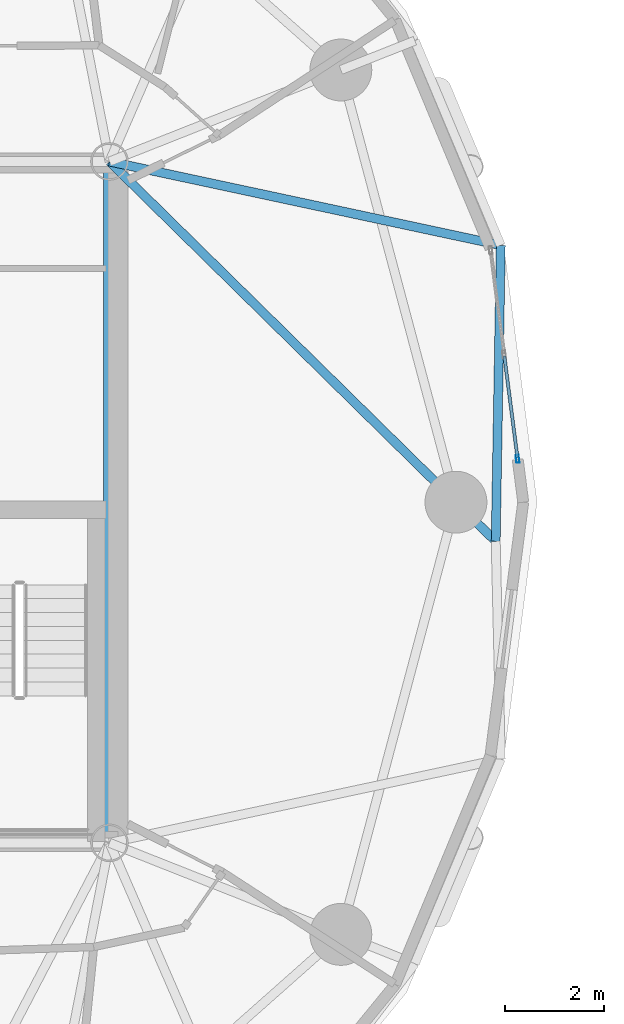
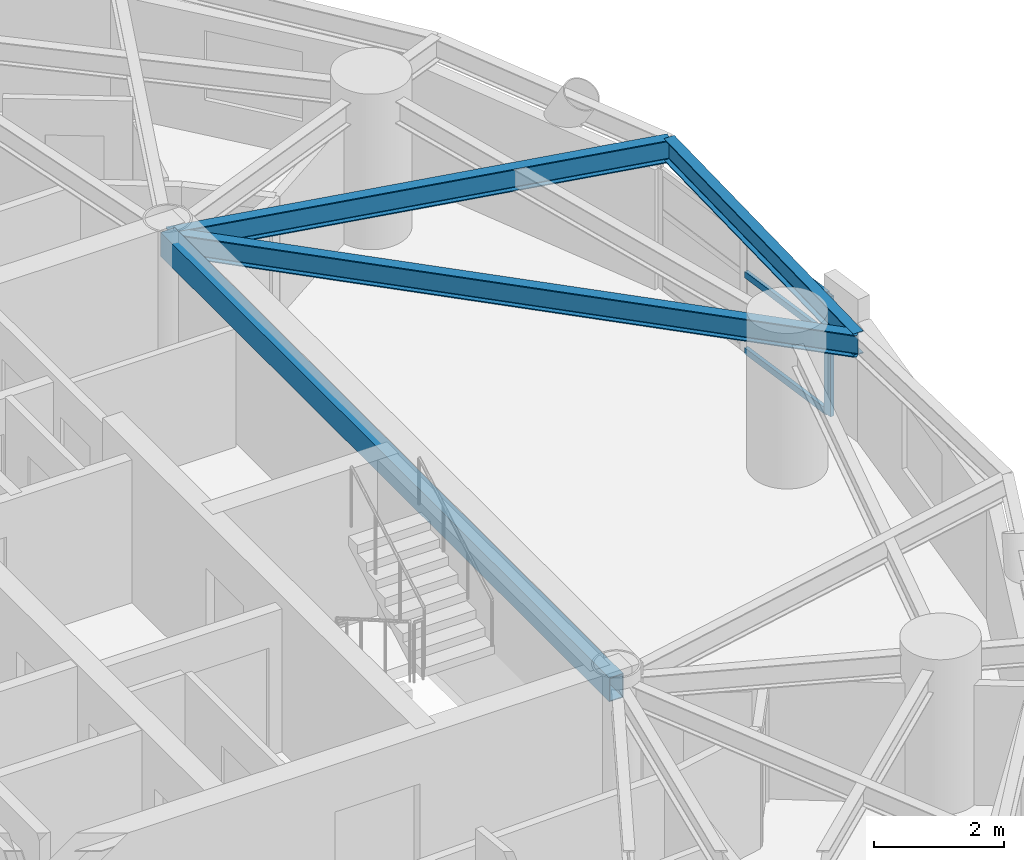
# One storey, part 2 of 16: 4 beams, 4 members, 1 element without a shape of its own.
"""IFC4 building model written with IfcOpenShell, lengths in metres."""

from ifc_helpers import new_model, si_unit, direction, frame, origin, origin_2d, place, context, subcontext, project, spatial, hollow_rectangle, i_section, extrude, material, layer, layer_set, material_profile, profile_set, type_object, element, aggregate, save


model = new_model("IFC4")

# Units and contexts
model_context = context("Model", 3, precision=1e-05, world=origin(), true_north=direction((0.0, 1.0)))
body_context = subcontext(model_context, "Body", "Model", "MODEL_VIEW")
ifc_project = project(units=[si_unit("LENGTHUNIT", "METRE"), si_unit("AREAUNIT", "SQUARE_METRE"), si_unit("VOLUMEUNIT", "CUBIC_METRE"), si_unit("PLANEANGLEUNIT", "RADIAN"), si_unit("MASSUNIT", "GRAM", prefix="KILO")], contexts=[model_context])

# Site, building, storey
site_placement = place(None, origin())
site = spatial("IfcSite", under=ifc_project, at=site_placement, CompositionType="ELEMENT")
building_placement = place(site_placement, origin())
building = spatial("IfcBuilding", under=site, at=building_placement, Name="Cununo Teusaquillo Station Towers", CompositionType="ELEMENT")
storey_placement = place(building_placement, frame((0.0, 0.0, 180.699951171875)))
storey = spatial("IfcBuildingStorey", under=building, at=storey_placement, Name="L57", CompositionType="ELEMENT", Elevation=180.699951171875)

# Beams
ifc_material_1 = material(Name="Steel EN 10025-2 S355J2", Category="steel")
ifc_material_profile_1 = material_profile(ifc_material_1, hollow_rectangle(XDim=0.25, YDim=0.449951171875, WallThickness=0.01611328125, at=origin_2d()), Name="RHS 450x250x16")
ifc_profile_set_1 = profile_set([ifc_material_profile_1], Name="Steel EN 10025-2 S355J2")
beam_type_1 = type_object("IfcBeamType", Name="BM-COUP-1", PredefinedType="USERDEFINED", material=ifc_profile_set_1)
beam_1_placement = place(storey_placement, frame((21.675048828125, 17.6201171875, 2.465087890625), z_axis=(0.0, 1.0, 0.0), x_axis=(-1.0, 0.0, 0.0)))
element("IfcBeam", 1, at=beam_1_placement, inside=storey, type_object=beam_type_1, Name="L57 Tower A Core Beam 2", ObjectType="COUPLING BEAM", PredefinedType="USERDEFINED", context=body_context, shape_type="SweptSolid", body=[
    extrude(hollow_rectangle(XDim=0.25, YDim=0.449951171875, WallThickness=0.01611328125, at=origin_2d()), origin(), (0.0, 0.0, 1.0), 13.759765625),
])
ifc_material_2 = material(Name="Steel ASTM A572 Grade 50", Category="steel")
ifc_material_profile_2 = material_profile(ifc_material_2, i_section(OverallWidth=0.180908203125, OverallDepth=0.4169921875, WebThickness=0.010986328125, FlangeThickness=0.018310546875, FilletRadius=0.012939453125, at=origin_2d()), Name="W16X57")
ifc_profile_set_2 = profile_set([ifc_material_profile_2], Name="Steel ASTM A572 Grade 50")
beam_type_2 = type_object("IfcBeamType", Name="BM-JOIST-1", PredefinedType="JOIST", material=ifc_profile_set_2)
beam_2_placement = place(storey_placement, frame((21.675048828125, 31.3798828125, 2.4814453125), z_axis=(0.977854548984, -0.209285644589, 0.0), x_axis=(0.209285644589, 0.977854548984, 0.0)))
element("IfcBeam", 2, at=beam_2_placement, inside=storey, type_object=beam_type_2, Name="L57 Tower A Radial Spandrel Joist V01", PredefinedType="JOIST", context=body_context, shape_type="SweptSolid", body=[
    extrude(i_section(OverallWidth=0.180908203125, OverallDepth=0.4169921875, WebThickness=0.010986328125, FlangeThickness=0.018310546875, FilletRadius=0.012939453125, at=origin_2d()), origin(), (0.0, 0.0, 1.0), 8.081787109375),
])
ifc_material_3 = material(Name="Steel ASTM A572 Grade 50", Category="steel")
ifc_material_profile_3 = material_profile(ifc_material_3, i_section(OverallWidth=0.180908203125, OverallDepth=0.4169921875, WebThickness=0.010986328125, FlangeThickness=0.018310546875, FilletRadius=0.012939453125, at=origin_2d()), Name="W16X57")
ifc_profile_set_3 = profile_set([ifc_material_profile_3], Name="Steel ASTM A572 Grade 50")
beam_type_3 = type_object("IfcBeamType", Name="BM-RAD-G2", PredefinedType="BEAM", material=ifc_profile_set_3)
beam_3_placement = place(storey_placement, frame((21.675048828125, 31.3798828125, 2.4814453125), z_axis=(0.713051946152, -0.701111205223, 0.0), x_axis=(0.701111205223, 0.713051946152, 0.0)))
element("IfcBeam", 3, at=beam_3_placement, inside=storey, type_object=beam_type_3, Name="L57 Tower A Continuous Overhanging Radial Girder 01", PredefinedType="BEAM", context=body_context, shape_type="SweptSolid", body=[
    extrude(i_section(OverallWidth=0.180908203125, OverallDepth=0.4169921875, WebThickness=0.010986328125, FlangeThickness=0.018310546875, FilletRadius=0.012939453125, at=origin_2d()), origin(), (0.0, 0.0, 1.0), 10.938720703125),
])
ifc_material_4 = material(Name="Steel ASTM A572 Grade 50", Category="steel")
ifc_material_profile_4 = material_profile(ifc_material_4, i_section(OverallWidth=0.180908203125, OverallDepth=0.4169921875, WebThickness=0.010986328125, FlangeThickness=0.018310546875, FilletRadius=0.012939453125, at=origin_2d()), Name="W16X57")
ifc_profile_set_4 = profile_set([ifc_material_profile_4], Name="Steel ASTM A572 Grade 50")
beam_type_4 = type_object("IfcBeamType", Name="BM-RING-Z3", PredefinedType="SPANDREL", material=ifc_profile_set_4)
beam_4_placement = place(storey_placement, frame((29.474853515625, 23.710693359375, 2.4814453125), z_axis=(0.017232482627, 0.999851509747, 0.0), x_axis=(-0.999851509747, 0.017232482627, 0.0)))
element("IfcBeam", 4, at=beam_4_placement, inside=storey, type_object=beam_type_4, Name="L57 Tower A Spandrel Ring Beam 01", PredefinedType="SPANDREL", context=body_context, shape_type="SweptSolid", body=[
    extrude(i_section(OverallWidth=0.180908203125, OverallDepth=0.4169921875, WebThickness=0.010986328125, FlangeThickness=0.018310546875, FilletRadius=0.012939453125, at=origin_2d()), origin(), (0.0, 0.0, 1.0), 5.978759765625),
])

# Curtain wall, members
ifc_material_5 = material(Name="Operable acoustic tinted low-E double glazing", Category="glass")
ifc_layer = layer(ifc_material_5, 0.179931640625)
ifc_layer_set = layer_set([ifc_layer], Name="Operable acoustic tinted low-E double glazing")
curtain_wall_type = type_object("IfcCurtainWallType", Name="CW-SYS-06", PredefinedType="USERDEFINED", material=ifc_layer_set)
curtain_wall_placement = place(storey_placement, origin())
curtain_wall = element("IfcCurtainWall", 5, at=curtain_wall_placement, inside=storey, type_object=curtain_wall_type, Name="L57 Tower A Facade Curtain Wall C00", ObjectType="OPERABLE GLAZING", PredefinedType="USERDEFINED")
ifc_material_6 = material(Name="Anodised dark bronze aluminium EN AW-6063-T6", Category="aluminium")
ifc_material_profile_5 = material_profile(ifc_material_6, hollow_rectangle(XDim=0.06494140625, YDim=0.159912109375, WallThickness=0.00390625, at=origin_2d()), Name="CW-MULL-65x160")
ifc_profile_set_5 = profile_set([ifc_material_profile_5], Name="Anodised dark bronze aluminium EN AW-6063-T6")
member_type_1 = type_object("IfcMemberType", Name="CWM-160", PredefinedType="MULLION", material=ifc_profile_set_5)
member_1_placement = place(storey_placement, frame((29.917724609375, 25.375244140625, 0.0), z_axis=(0.0, 0.0, 1.0), x_axis=(0.991737283761, 0.128285462927, 0.0)))
member_1 = element("IfcMember", 6, at=member_1_placement, type_object=member_type_1, Name="CW-06 mullion 3", PredefinedType="MULLION", context=body_context, shape_type="SweptSolid", body=[
    extrude(hollow_rectangle(XDim=0.06494140625, YDim=0.159912109375, WallThickness=0.00390625, at=origin_2d()), origin(), (0.0, 0.0, 1.0), 2.2451171875),
])
ifc_material_7 = material(Name="Anodised dark bronze aluminium EN AW-6063-T6", Category="aluminium")
ifc_material_profile_6 = material_profile(ifc_material_7, hollow_rectangle(XDim=0.06494140625, YDim=0.1201171875, WallThickness=0.00390625, at=origin_2d()), Name="CW-TRAN-65x120")
ifc_profile_set_6 = profile_set([ifc_material_profile_6], Name="Anodised dark bronze aluminium EN AW-6063-T6")
member_type_2 = type_object("IfcMemberType", Name="CWT-120", PredefinedType="USERDEFINED", material=ifc_profile_set_6)
member_2_placement = place(storey_placement, frame((29.6494140625, 27.449462890625, 0.032470703125), z_axis=(0.128294885484, -0.991736064867, 0.0), x_axis=(0.991736064867, 0.128294885484, 0.0)))
member_2 = element("IfcMember", 7, at=member_2_placement, type_object=member_type_2, Name="CW-06 transom 2.1", ObjectType="TRANSOM", PredefinedType="USERDEFINED", context=body_context, shape_type="SweptSolid", body=[
    extrude(hollow_rectangle(XDim=0.06494140625, YDim=0.1201171875, WallThickness=0.00390625, at=origin_2d()), origin(), (0.0, 0.0, 1.0), 2.05908203125),
])
member_3_placement = place(storey_placement, frame((29.6494140625, 27.449462890625, 1.458984375), z_axis=(0.128294885484, -0.991736064867, 0.0), x_axis=(0.991736064867, 0.128294885484, 0.0)))
member_3 = element("IfcMember", 8, at=member_3_placement, type_object=member_type_2, Name="CW-06 transom 2.2", ObjectType="TRANSOM", PredefinedType="USERDEFINED", context=body_context, shape_type="SweptSolid", body=[
    extrude(hollow_rectangle(XDim=0.06494140625, YDim=0.1201171875, WallThickness=0.00390625, at=origin_2d()), origin(), (0.0, 0.0, 1.0), 2.05908203125),
])
member_4_placement = place(storey_placement, frame((29.6494140625, 27.449462890625, 2.212646484375), z_axis=(0.128294885484, -0.991736064867, 0.0), x_axis=(0.991736064867, 0.128294885484, 0.0)))
member_4 = element("IfcMember", 9, at=member_4_placement, type_object=member_type_2, Name="CW-06 transom 2.3", ObjectType="TRANSOM", PredefinedType="USERDEFINED", context=body_context, shape_type="SweptSolid", body=[
    extrude(hollow_rectangle(XDim=0.06494140625, YDim=0.1201171875, WallThickness=0.00390625, at=origin_2d()), origin(), (0.0, 0.0, 1.0), 2.05908203125),
])
aggregate(curtain_wall, [member_1, member_2, member_3, member_4])

save(model, "model.ifc")
